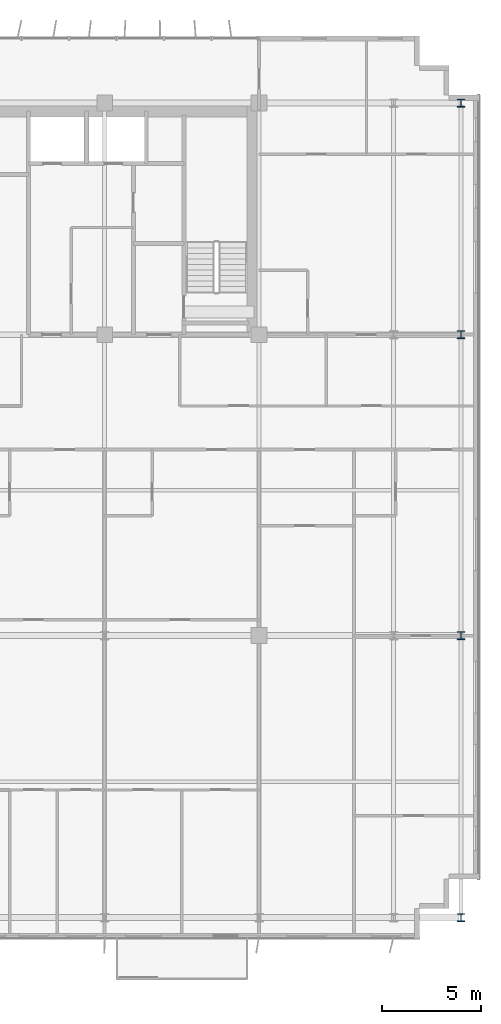
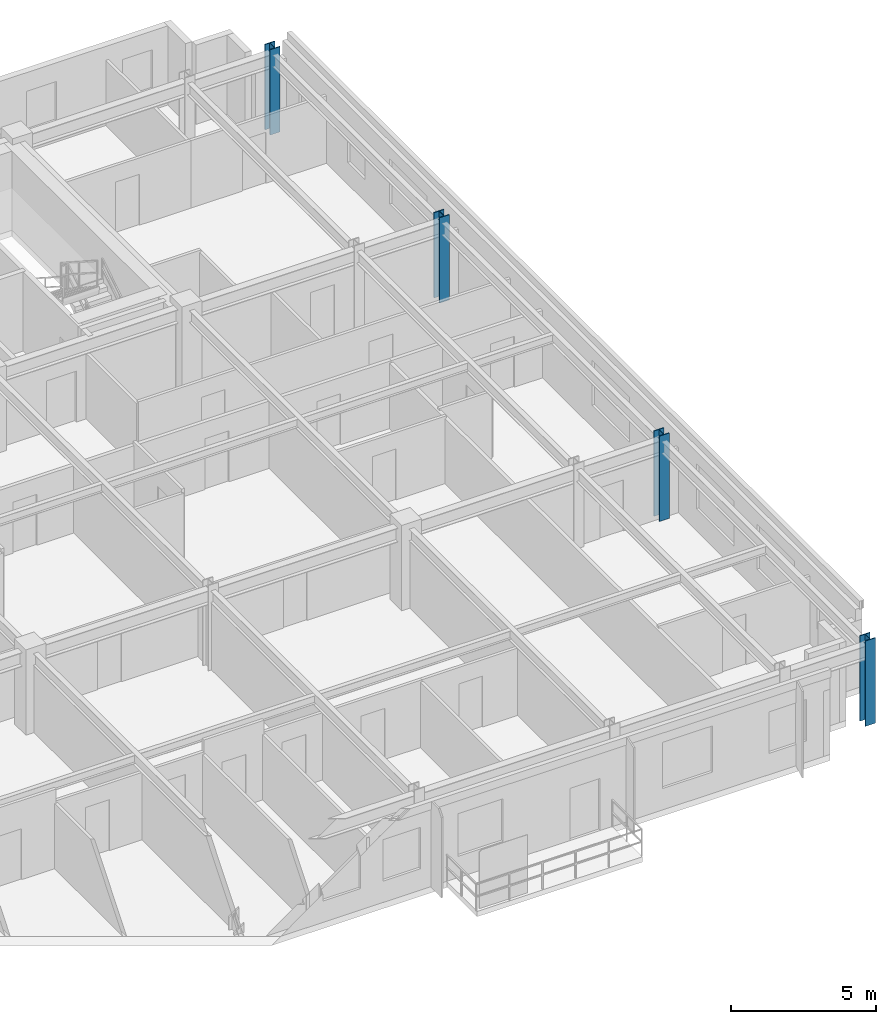
# One storey, part 3 of 22: 4 columns.
"""IFC4 building model written with IfcOpenShell, lengths in metres."""

import ifcopenshell
import ifcopenshell.guid

model = None  # the IFC model being written
_history = None  # IfcOwnerHistory: only IFC2X3 demands one
_inside = {}  # id of a spatial element -> (the spatial element, [elements in it])
_under = {}  # id of a project, library or spatial element -> (it, [spatial elements below it])
_declared = {}  # id of a project -> (the project, [libraries it declares])
_typed = {}  # id of a type object -> (the type object, [elements of that type])
_made_of = {}  # id of a material, layer set ... -> (it, [elements and type objects made of it])


def new_model(schema):
    """Start an empty IFC model of exactly this schema.

    Asked for "IFC4X3", IfcOpenShell would pick the latest addendum, in which some entities
    have other attributes; the version numbers below select the first issue.
    IFC2X3 requires an IfcOwnerHistory on every rooted entity: one is made here for all.
    """
    global model, _history
    if schema == "IFC4X3":
        model = ifcopenshell.file(schema_version=(4, 3, 0, 0))
    else:
        model = ifcopenshell.file(schema=schema)
    _inside.clear()
    _under.clear()
    _declared.clear()
    _typed.clear()
    _made_of.clear()
    _history = None
    if model.schema == "IFC2X3":
        org = make("IfcOrganization", Name="unknown")
        user = make(
            "IfcPersonAndOrganization",
            ThePerson=make("IfcPerson", FamilyName="unknown"),
            TheOrganization=org,
        )
        app = make(
            "IfcApplication",
            ApplicationDeveloper=org,
            Version="unknown",
            ApplicationFullName="unknown",
            ApplicationIdentifier="unknown",
        )
        _history = make(
            "IfcOwnerHistory",
            OwningUser=user,
            OwningApplication=app,
            ChangeAction="ADDED",
            CreationDate=0,
        )
    return model


def make(cls, **values):
    """One entity of the class cls with the attributes given. An attribute that is None is left unset."""
    return model.create_entity(
        cls, **{name: value for name, value in values.items() if value is not None}
    )


def rooted(cls, **values):
    """An entity with a GlobalId (a new one), such as an element, a storey or a relation."""
    return make(cls, GlobalId=ifcopenshell.guid.new(), OwnerHistory=_history, **values)


def si_unit(unit_type, name, prefix=None):
    """IfcSIUnit, for example si_unit("LENGTHUNIT", "METRE", prefix="MILLI")."""
    return make("IfcSIUnit", UnitType=unit_type, Prefix=prefix, Name=name)


def assignment(units):
    """IfcUnitAssignment: the units of a project."""
    return None if units is None else make("IfcUnitAssignment", Units=units)


def point(xyz):
    """IfcCartesianPoint."""
    return None if xyz is None else make("IfcCartesianPoint", Coordinates=xyz)


def direction(xyz):
    """IfcDirection."""
    return None if xyz is None else make("IfcDirection", DirectionRatios=xyz)


def frame(location, z_axis=None, x_axis=None):
    """IfcAxis2Placement3D, a coordinate frame: its origin and axes. An axis left out is left unset."""
    return make(
        "IfcAxis2Placement3D",
        Location=point(location),
        Axis=direction(z_axis),
        RefDirection=direction(x_axis),
    )


def frame_2d(location, x_axis=None):
    """IfcAxis2Placement2D, a coordinate frame in the plane: its origin and x axis."""
    return make(
        "IfcAxis2Placement2D", Location=point(location), RefDirection=direction(x_axis)
    )


def origin():
    """The frame at (0, 0, 0) with its axes left unset."""
    return frame((0.0, 0.0, 0.0))


def origin_2d():
    """The frame at (0, 0) in the plane with its x axis left unset."""
    return frame_2d((0.0, 0.0))


def place(relative_to, where):
    """IfcLocalPlacement: puts the frame where relative to a parent placement (None: the world)."""
    return make(
        "IfcLocalPlacement", PlacementRelTo=relative_to, RelativePlacement=where
    )


def context(
    kind, dimensions, precision=None, world=None, true_north=None, identifier=None
):
    """IfcGeometricRepresentationContext, for example the 3D "Model" context."""
    return make(
        "IfcGeometricRepresentationContext",
        ContextIdentifier=identifier,
        ContextType=kind,
        CoordinateSpaceDimension=dimensions,
        Precision=precision,
        WorldCoordinateSystem=world,
        TrueNorth=true_north,
    )


def subcontext(parent, identifier, kind, view, scale=None):
    """IfcGeometricRepresentationSubContext, for example "Body" below "Model"."""
    return make(
        "IfcGeometricRepresentationSubContext",
        ContextIdentifier=identifier,
        ContextType=kind,
        ParentContext=parent,
        TargetScale=scale,
        TargetView=view,
    )


def project(units=None, contexts=None):
    """IfcProject with its units and contexts."""
    return rooted(
        "IfcProject",
        Name="project",
        RepresentationContexts=contexts,
        UnitsInContext=assignment(units),
    )


def spatial(cls, under=None, at=None, **own):
    """A site, building, storey or space (cls), placed at a placement, below another one or the project."""
    s = rooted(cls, ObjectPlacement=at, **own)
    if under is not None:
        _under.setdefault(under.id(), (under, []))[1].append(s)
    return s


def profile(cls, at=None, kind="AREA", **sizes):
    """A parametric profile (cls). Its sizes go by their IFC names, for example OverallWidth=200.0."""
    return make(cls, ProfileType=kind, Position=at, **sizes)


def i_section(**sizes):
    """IfcIShapeProfileDef."""
    return profile("IfcIShapeProfileDef", **sizes)


def extrude(swept, where, along, depth):
    """IfcExtrudedAreaSolid: the profile swept, set in the frame where, extruded along a direction by depth."""
    return make(
        "IfcExtrudedAreaSolid",
        SweptArea=swept,
        Position=where,
        ExtrudedDirection=direction(along),
        Depth=depth,
    )


def shape(context_of_items, identifier, shape_type, items):
    """IfcShapeRepresentation: the items that make up one representation, for example the "Body"."""
    return make(
        "IfcShapeRepresentation",
        ContextOfItems=context_of_items,
        RepresentationIdentifier=identifier,
        RepresentationType=shape_type,
        Items=items,
    )


def source(mapping_origin, context_of_items, identifier, shape_type, items):
    """IfcRepresentationMap: a shape defined once, which mapped items show again and again."""
    return make(
        "IfcRepresentationMap",
        MappingOrigin=mapping_origin,
        MappedRepresentation=shape(context_of_items, identifier, shape_type, items),
    )


def transform(
    local_origin,
    x_axis=None,
    y_axis=None,
    z_axis=None,
    scale=None,
    scale2=None,
    scale3=None,
    uniform=True,
):
    """IfcCartesianTransformationOperator3D, or its non-uniform kind. x_axis, y_axis, z_axis: its Axis1, 2, 3."""
    if uniform:
        return make(
            "IfcCartesianTransformationOperator3D",
            Axis1=direction(x_axis),
            Axis2=direction(y_axis),
            LocalOrigin=point(local_origin),
            Scale=scale,
            Axis3=direction(z_axis),
        )
    return make(
        "IfcCartesianTransformationOperator3DnonUniform",
        Axis1=direction(x_axis),
        Axis2=direction(y_axis),
        LocalOrigin=point(local_origin),
        Scale=scale,
        Axis3=direction(z_axis),
        Scale2=scale2,
        Scale3=scale3,
    )


def mapped(mapping_source, mapping_target):
    """IfcMappedItem: shows the shape of a source again, moved by a transform."""
    return make(
        "IfcMappedItem", MappingSource=mapping_source, MappingTarget=mapping_target
    )


def material(Name=None, Category=None):
    """IfcMaterial."""
    return make("IfcMaterial", Name=Name, Category=Category)


def material_profile(
    of_material, cross_section, Name=None, Category=None, Priority=None
):
    """IfcMaterialProfile: a cross section and its material."""
    return make(
        "IfcMaterialProfile",
        Name=Name,
        Material=of_material,
        Profile=cross_section,
        Priority=Priority,
        Category=Category,
    )


def profile_set(profiles, Name=None, composite=None):
    """IfcMaterialProfileSet."""
    return make(
        "IfcMaterialProfileSet",
        Name=Name,
        MaterialProfiles=profiles,
        CompositeProfile=composite,
    )


def made_of(thing, what):
    """Note that an element or type object is made of a material, layer set ...; save() writes the relation."""
    if what is not None:
        _made_of.setdefault(what.id(), (what, []))[1].append(thing)
    return thing


def type_object(cls, material=None, **own):
    """A type object (cls), such as IfcWallType, which elements share."""
    return made_of(rooted(cls, **own), material)


def element(
    cls,
    number,
    at=None,
    inside=None,
    cuts=None,
    type_object=None,
    material=None,
    context=None,
    identifier="Body",
    shape_type=None,
    held_by="IfcProductDefinitionShape",
    body=None,
    shapes=None,
    **own,
):
    """One element of the class cls, such as IfcWall. Its Tag is "e" and its number.

    at: its placement. inside: the storey or other place that contains it. cuts: it is an
    opening in that element (IfcRelVoidsElement). A single representation is given by context,
    identifier, shape_type and body (its items); several are given by shapes. held_by: the class
    of the entity that holds the representations. save() writes the other relations.
    """
    e = rooted(cls, Tag="e%d" % number, ObjectPlacement=at, **own)
    if body is not None:
        shapes = [shape(context, identifier, shape_type, body)]
    if shapes is not None:
        e.Representation = make(held_by, Representations=shapes)
    if inside is not None:
        _inside.setdefault(inside.id(), (inside, []))[1].append(e)
    if cuts is not None:
        rooted(
            "IfcRelVoidsElement", RelatingBuildingElement=cuts, RelatedOpeningElement=e
        )
    if type_object is not None:
        _typed.setdefault(type_object.id(), (type_object, []))[1].append(e)
    return made_of(e, material)


def aggregate(whole, parts):
    """IfcRelAggregates: a whole, such as a stair, and the parts it consists of."""
    return rooted("IfcRelAggregates", RelatingObject=whole, RelatedObjects=parts)


def save(model, path):
    """Write the relations noted so far, then the file.

    IfcRelAggregates (storeys below a building ...), IfcRelContainedInSpatialStructure (elements
    in a storey), IfcRelDefinesByType, IfcRelAssociatesMaterial and IfcRelDeclares: one each for
    every whole, place, type object, material and project.
    """
    for whole, parts in _under.values():
        aggregate(whole, parts)
    for where, things in _inside.values():
        rooted(
            "IfcRelContainedInSpatialStructure",
            RelatedElements=things,
            RelatingStructure=where,
        )
    for kind, things in _typed.values():
        rooted("IfcRelDefinesByType", RelatedObjects=things, RelatingType=kind)
    for what, things in _made_of.values():
        rooted("IfcRelAssociatesMaterial", RelatedObjects=things, RelatingMaterial=what)
    for by, libraries in _declared.values():
        rooted("IfcRelDeclares", RelatingContext=by, RelatedDefinitions=libraries)
    model.write(path)


model = new_model("IFC4")

# Units and contexts
model_context = context("Model", 3, precision=1e-05, world=origin(), true_north=direction((0.0, 1.0)))
body_context = subcontext(model_context, "Body", "Model", "MODEL_VIEW")
ifc_project = project(units=[si_unit("LENGTHUNIT", "METRE"), si_unit("AREAUNIT", "SQUARE_METRE"), si_unit("VOLUMEUNIT", "CUBIC_METRE"), si_unit("PLANEANGLEUNIT", "RADIAN"), si_unit("MASSUNIT", "GRAM", prefix="KILO")], contexts=[model_context])

# Site, building, storey
site_placement = place(None, origin())
site = spatial("IfcSite", under=ifc_project, at=site_placement, CompositionType="ELEMENT")
building_placement = place(site_placement, origin())
building = spatial("IfcBuilding", under=site, at=building_placement, Name="Trelvane Seafront Commons", CompositionType="ELEMENT")
storey_placement = place(building_placement, frame((0.0, 0.0, 88.89990234375)))
storey = spatial("IfcBuildingStorey", under=building, at=storey_placement, Name="L22", CompositionType="ELEMENT", Elevation=88.89990234375)

# Columns
ifc_material = material(Name="Steel SM355 (S355)", Category="steel")
ifc_material_profile = material_profile(ifc_material, i_section(OverallWidth=0.39990234375, OverallDepth=0.39990234375, WebThickness=0.02197265625, FlangeThickness=0.034912109375, at=origin_2d()), Name="HD-400x400x22x35")
ifc_profile_set = profile_set([ifc_material_profile], Name="Steel SM355 (S355)")
column_type = type_object("IfcColumnType", Name="STR-COL-HD400", PredefinedType="COLUMN", material=ifc_profile_set)
shared_shape = source(origin(), body_context, "Body", "SweptSolid", [
    extrude(i_section(OverallWidth=0.39990234375, OverallDepth=0.39990234375, WebThickness=0.02197265625, FlangeThickness=0.034912109375, at=origin_2d()), origin(), (0.0, 0.0, 1.0), 3.60009765625),
])
for number, where, z_axis, x_axis, name in (
    (1, (69.0, 3.949951171875, 0.0), (0.0, 0.0, 1.0), (1.0, 0.0, 0.0), "L22 Column TC-S69.0"),
    (2, (69.0, 18.199951171875, 0.0), (0.0, 0.0, 1.0), (1.0, 0.0, 0.0), "L22 Column TC-M69.0"),
    (3, (69.0, 33.39990234375, 0.0), (0.0, 0.0, 1.0), (1.0, 0.0, 0.0), "L22 Column TC-CS69.0"),
    (4, (69.0, 45.10009765625, 0.0), (0.0, 0.0, 1.0), (1.0, 0.0, 0.0), "L22 Column TC-CN69.0"),
):
    element("IfcColumn", number, at=place(storey_placement, frame(where, z_axis=z_axis, x_axis=x_axis)), inside=storey, type_object=column_type, Name=name, PredefinedType="COLUMN", context=body_context, shape_type="MappedRepresentation", body=[
        mapped(shared_shape, transform((0.0, 0.0, 0.0), x_axis=(1.0, 0.0, 0.0), y_axis=(0.0, 1.0, 0.0), z_axis=(0.0, 0.0, 1.0), scale=1.0)),
    ])

save(model, "model.ifc")
